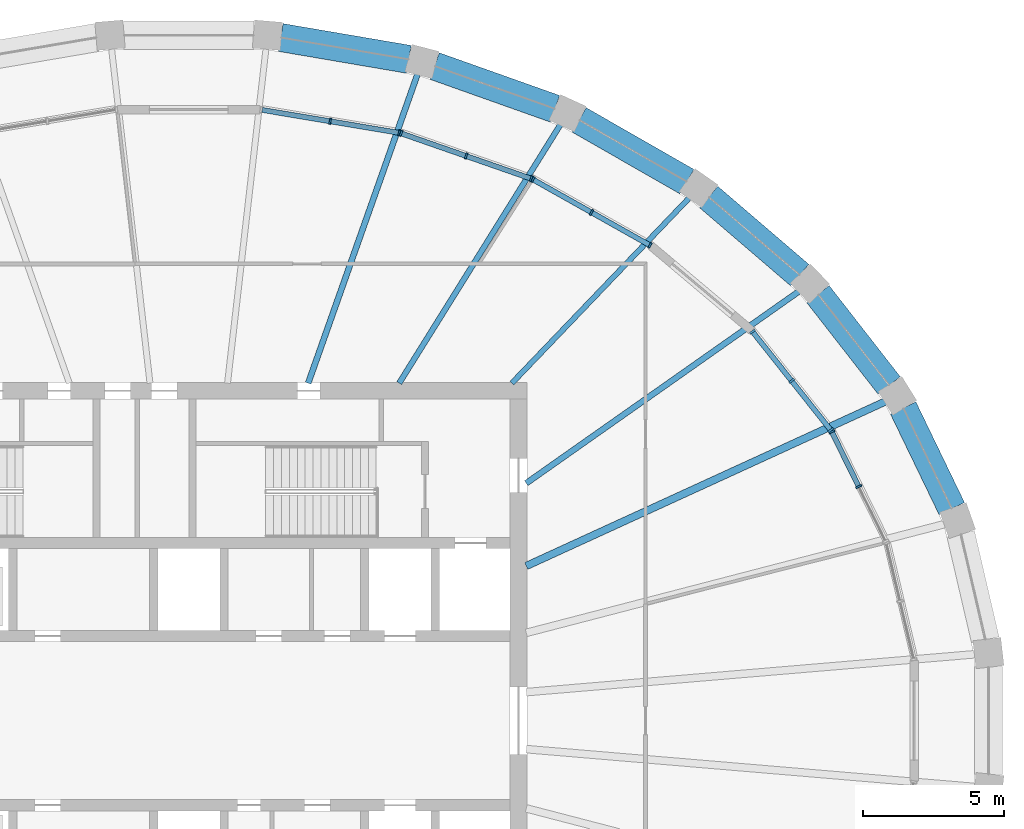
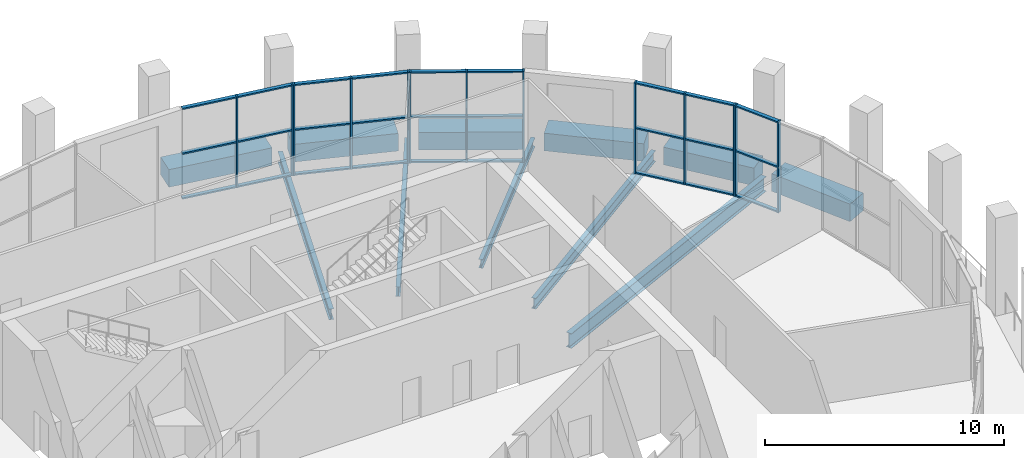
# One storey, part 7 of 16: 40 members, 11 beams, 5 elements without a shape of their own.
"""IFC4 building model written with IfcOpenShell, lengths in metres."""

from ifc_helpers import new_model, si_unit, direction, frame, origin, origin_2d, place, context, subcontext, project, spatial, rectangle, i_section, extrude, material, material_profile, profile_set, type_object, element, aggregate, save


model = new_model("IFC4")

# Units and contexts
model_context = context("Model", 3, precision=1e-05, world=origin(), true_north=direction((0.0, 1.0)))
body_context = subcontext(model_context, "Body", "Model", "MODEL_VIEW")
ifc_project = project(units=[si_unit("LENGTHUNIT", "METRE"), si_unit("AREAUNIT", "SQUARE_METRE"), si_unit("VOLUMEUNIT", "CUBIC_METRE"), si_unit("PLANEANGLEUNIT", "RADIAN"), si_unit("MASSUNIT", "GRAM", prefix="KILO")], contexts=[model_context])

# Site, building, storey
site_placement = place(None, origin())
site = spatial("IfcSite", under=ifc_project, at=site_placement, CompositionType="ELEMENT")
building_placement = place(site_placement, origin())
building = spatial("IfcBuilding", under=site, at=building_placement, Name="Halqa Exchange Tower", CompositionType="ELEMENT")
storey_placement = place(building_placement, frame((0.0, 0.0, 333.300048828125)))
storey = spatial("IfcBuildingStorey", under=building, at=storey_placement, Name="L78", CompositionType="ELEMENT", Elevation=333.300048828125)

# Beams
ifc_material_1 = material(Name="Steel S355", Category="steel")
ifc_material_profile_1 = material_profile(ifc_material_1, i_section(OverallWidth=0.18994140625, OverallDepth=0.449951171875, WebThickness=0.009521484375, FlangeThickness=0.0146484375, FilletRadius=0.02099609375, at=origin_2d()), Name="IPE 450")
ifc_profile_set_1 = profile_set([ifc_material_profile_1], Name="Steel S355")
beam_type_1 = type_object("IfcBeamType", Name="Floor beam IPE 450", PredefinedType="BEAM", material=ifc_profile_set_1)
beam_1_placement = place(storey_placement, frame((11.462890625, 11.97216796875, -0.574951171875), z_axis=(0.6915759213, 0.722303776175, 0.0), x_axis=(-0.722303776175, 0.6915759213, 0.0)))
element("IfcBeam", 1, at=beam_1_placement, inside=storey, type_object=beam_type_1, Name="Radial beam 5", PredefinedType="BEAM", context=body_context, shape_type="SweptSolid", body=[
    extrude(i_section(OverallWidth=0.18994140625, OverallDepth=0.449951171875, WebThickness=0.009521484375, FlangeThickness=0.0146484375, FilletRadius=0.02099609375, at=origin_2d()), origin(), (0.0, 0.0, 1.0), 9.192626953125),
])
ifc_material_profile_2 = material_profile(ifc_material_1, i_section(OverallWidth=0.199951171875, OverallDepth=0.5, WebThickness=0.01025390625, FlangeThickness=0.01611328125, FilletRadius=0.02099609375, at=origin_2d()), Name="IPE 500")
ifc_profile_set_2 = profile_set([ifc_material_profile_2], Name="Steel S355")
beam_type_2 = type_object("IfcBeamType", Name="Floor beam IPE 500", PredefinedType="BEAM", material=ifc_profile_set_2)
beam_2_placement = place(storey_placement, frame((7.4658203125, 11.97216796875, -0.60009765625), z_axis=(0.529137326003, 0.848536204431, 0.0), x_axis=(-0.848536204431, 0.529137326003, 0.0)))
element("IfcBeam", 2, at=beam_2_placement, inside=storey, type_object=beam_type_2, Name="Radial beam 6", PredefinedType="BEAM", context=body_context, shape_type="SweptSolid", body=[
    extrude(i_section(OverallWidth=0.199951171875, OverallDepth=0.5, WebThickness=0.01025390625, FlangeThickness=0.01611328125, FilletRadius=0.02099609375, at=origin_2d()), origin(), (0.0, 0.0, 1.0), 10.904541015625),
])
ifc_material_profile_3 = material_profile(ifc_material_1, i_section(OverallWidth=0.2099609375, OverallDepth=0.550048828125, WebThickness=0.010986328125, FlangeThickness=0.01708984375, FilletRadius=0.02392578125, at=origin_2d()), Name="IPE 550")
ifc_profile_set_3 = profile_set([ifc_material_profile_3], Name="Steel S355")
beam_type_3 = type_object("IfcBeamType", Name="Floor beam IPE 550", PredefinedType="BEAM", material=ifc_profile_set_3)
beam_3_placement = place(storey_placement, frame((11.97265625, 8.422119140625, -0.625), z_axis=(0.817914568296, 0.57533969007, 0.0), x_axis=(-0.57533969007, 0.817914568296, 0.0)))
element("IfcBeam", 3, at=beam_3_placement, inside=storey, type_object=beam_type_3, Name="Radial beam 4", PredefinedType="BEAM", context=body_context, shape_type="SweptSolid", body=[
    extrude(i_section(OverallWidth=0.2099609375, OverallDepth=0.550048828125, WebThickness=0.010986328125, FlangeThickness=0.01708984375, FilletRadius=0.02392578125, at=origin_2d()), origin(), (0.0, 0.0, 1.0), 11.92138671875),
])
beam_4_placement = place(storey_placement, frame((4.23681640625, 11.971923828125, -0.625), z_axis=(0.333622781905, 0.942706656067, 0.0), x_axis=(-0.942706656067, 0.333622781905, 0.0)))
element("IfcBeam", 4, at=beam_4_placement, inside=storey, type_object=beam_type_3, Name="Radial beam 7", PredefinedType="BEAM", context=body_context, shape_type="SweptSolid", body=[
    extrude(i_section(OverallWidth=0.2099609375, OverallDepth=0.550048828125, WebThickness=0.010986328125, FlangeThickness=0.01708984375, FilletRadius=0.02392578125, at=origin_2d()), origin(), (0.0, 0.0, 1.0), 11.723876953125),
])
ifc_material_profile_4 = material_profile(ifc_material_1, i_section(OverallWidth=0.264892578125, OverallDepth=0.7529296875, WebThickness=0.01318359375, FlangeThickness=0.01708984375, FilletRadius=0.01708984375, at=origin_2d()), Name="IPE 750x147")
ifc_profile_set_4 = profile_set([ifc_material_profile_4], Name="Steel S355")
beam_type_4 = type_object("IfcBeamType", Name="Floor beam IPE 750x147", PredefinedType="BEAM", material=ifc_profile_set_4)
beam_5_placement = place(storey_placement, frame((11.972412109375, 5.485107421875, -0.7265625), z_axis=(0.909126834486, 0.416519385884, 0.0), x_axis=(-0.416519385884, 0.909126834486, 0.0)))
element("IfcBeam", 5, at=beam_5_placement, inside=storey, type_object=beam_type_4, Name="Radial beam 3", PredefinedType="BEAM", context=body_context, shape_type="SweptSolid", body=[
    extrude(i_section(OverallWidth=0.264892578125, OverallDepth=0.7529296875, WebThickness=0.01318359375, FlangeThickness=0.01708984375, FilletRadius=0.01708984375, at=origin_2d()), origin(), (0.0, 0.0, 1.0), 14.10205078125),
])
ifc_material_2 = material(Name="Concrete C60/75", Category="concrete")
ifc_material_profile_5 = material_profile(ifc_material_2, rectangle(XDim=1.0, YDim=0.89990234375, at=origin_2d()), Name="1000 x 900")
ifc_profile_set_5 = profile_set([ifc_material_profile_5], Name="Concrete C60/75")
beam_type_5 = type_object("IfcBeamType", Name="RC spandrel beam 1000 x 900 C60/75", PredefinedType="SPANDREL", material=ifc_profile_set_5)
beam_6_placement = place(storey_placement, frame((27.06591796875, 7.519287109375, -0.449951171875), z_axis=(-0.43505216676, 0.900405248873, 0.0), x_axis=(-0.900405248873, -0.43505216676, 0.0)))
element("IfcBeam", 6, at=beam_6_placement, inside=storey, type_object=beam_type_5, Name="Spandrel 2", PredefinedType="SPANDREL", context=body_context, shape_type="SweptSolid", body=[
    extrude(rectangle(XDim=1.0, YDim=0.89990234375, at=origin_2d()), origin(), (0.0, 0.0, 1.0), 3.964111328125),
])
beam_7_placement = place(storey_placement, frame((24.8427734375, 11.89013671875, -0.449951171875), z_axis=(-0.61480594236, 0.788678421943, 0.0), x_axis=(-0.788678421943, -0.61480594236, 0.0)))
element("IfcBeam", 7, at=beam_7_placement, inside=storey, type_object=beam_type_5, Name="Spandrel 3", PredefinedType="SPANDREL", context=body_context, shape_type="SweptSolid", body=[
    extrude(rectangle(XDim=1.0, YDim=0.89990234375, at=origin_2d()), origin(), (0.0, 0.0, 1.0), 4.10009765625),
])
beam_8_placement = place(storey_placement, frame((21.670654296875, 15.805908203125, -0.449951171875), z_axis=(-0.759232294843, 0.65081973116, 0.0), x_axis=(-0.65081973116, -0.759232294843, 0.0)))
element("IfcBeam", 8, at=beam_8_placement, inside=storey, type_object=beam_type_5, Name="Spandrel 4", PredefinedType="SPANDREL", context=body_context, shape_type="SweptSolid", body=[
    extrude(rectangle(XDim=1.0, YDim=0.89990234375, at=origin_2d()), origin(), (0.0, 0.0, 1.0), 4.25390625),
])
beam_9_placement = place(storey_placement, frame((17.669189453125, 19.119140625, -0.449951171875), z_axis=(-0.86778573249, 0.49693855001, 0.0), x_axis=(-0.49693855001, -0.86778573249, 0.0)))
element("IfcBeam", 9, at=beam_9_placement, inside=storey, type_object=beam_type_5, Name="Spandrel 5", PredefinedType="SPANDREL", context=body_context, shape_type="SweptSolid", body=[
    extrude(rectangle(XDim=1.0, YDim=0.89990234375, at=origin_2d()), origin(), (0.0, 0.0, 1.0), 4.40478515625),
])
beam_10_placement = place(storey_placement, frame((12.98828125, 21.70263671875, -0.449951171875), z_axis=(-0.94236088808, 0.334598201755, 0.0), x_axis=(-0.334598201755, -0.94236088808, 0.0)))
element("IfcBeam", 10, at=beam_10_placement, inside=storey, type_object=beam_type_5, Name="Spandrel 6", PredefinedType="SPANDREL", context=body_context, shape_type="SweptSolid", body=[
    extrude(rectangle(XDim=1.0, YDim=0.89990234375, at=origin_2d()), origin(), (0.0, 0.0, 1.0), 4.530517578125),
])
beam_11_placement = place(storey_placement, frame((7.805419921875, 23.456298828125, -0.449951171875), z_axis=(-0.985773042695, 0.168081849987, 0.0), x_axis=(-0.168081849987, -0.985773042695, 0.0)))
element("IfcBeam", 11, at=beam_11_placement, inside=storey, type_object=beam_type_5, Name="Spandrel 7", PredefinedType="SPANDREL", context=body_context, shape_type="SweptSolid", body=[
    extrude(rectangle(XDim=1.0, YDim=0.89990234375, at=origin_2d()), origin(), (0.0, 0.0, 1.0), 4.6103515625),
])

# Curtain wall, members
ifc_material_3 = material(Name="Anodised aluminium and clear glass", Category="aluminium")
curtain_wall_type = type_object("IfcCurtainWallType", Name="Sky lobby glazing", PredefinedType="NOTDEFINED", material=ifc_material_3)
curtain_wall_1_placement = place(storey_placement, origin())
curtain_wall_1 = element("IfcCurtainWall", 12, at=curtain_wall_1_placement, inside=storey, type_object=curtain_wall_type, Name="Sky lobby glazing run G2", PredefinedType="NOTDEFINED")
ifc_material_4 = material(Name="Anodised aluminium", Category="aluminium")
ifc_material_profile_6 = material_profile(ifc_material_4, rectangle(XDim=0.219970703125, YDim=0.070068359375, at=origin_2d()), Name="AL 70x220")
ifc_profile_set_6 = profile_set([ifc_material_profile_6], Name="Anodised aluminium")
member_type_1 = type_object("IfcMemberType", Name="Sky lobby glazing mullion 70 x 220", PredefinedType="MULLION", material=ifc_profile_set_6)
member_1_placement = place(storey_placement, frame((23.76416015625, 8.302978515625, 0.0), z_axis=(0.0, 0.0, 1.0), x_axis=(-0.897214741349, -0.441594506199, 0.0)))
member_1 = element("IfcMember", 13, at=member_1_placement, type_object=member_type_1, Name="G2 mullion 2", PredefinedType="MULLION", context=body_context, shape_type="SweptSolid", body=[
    extrude(rectangle(XDim=0.219970703125, YDim=0.070068359375, at=origin_2d()), origin(), (0.0, 0.0, 1.0), 4.64990234375),
])
member_2_placement = place(storey_placement, frame((22.808349609375, 10.2451171875, 0.0), z_axis=(0.0, 0.0, 1.0), x_axis=(-0.897214741349, -0.441594506199, 0.0)))
member_2 = element("IfcMember", 14, at=member_2_placement, type_object=member_type_1, Name="G2 mullion 3", PredefinedType="MULLION", context=body_context, shape_type="SweptSolid", body=[
    extrude(rectangle(XDim=0.219970703125, YDim=0.070068359375, at=origin_2d()), origin(), (0.0, 0.0, 1.0), 4.64990234375),
])

curtain_wall_2_placement = place(storey_placement, origin())
curtain_wall_2 = element("IfcCurtainWall", 15, at=curtain_wall_2_placement, inside=storey, type_object=curtain_wall_type, Name="Sky lobby glazing run G3", PredefinedType="NOTDEFINED")
member_3_placement = place(storey_placement, frame((22.771240234375, 10.3037109375, 0.0), z_axis=(0.0, 0.0, 1.0), x_axis=(-0.783162355834, -0.621817275737, 0.0)))
member_3 = element("IfcMember", 16, at=member_3_placement, type_object=member_type_1, Name="G3 mullion 1", PredefinedType="MULLION", context=body_context, shape_type="SweptSolid", body=[
    extrude(rectangle(XDim=0.219970703125, YDim=0.070068359375, at=origin_2d()), origin(), (0.0, 0.0, 1.0), 4.64990234375),
])
member_4_placement = place(storey_placement, frame((21.3837890625, 12.05126953125, 0.0), z_axis=(0.0, 0.0, 1.0), x_axis=(-0.783162355834, -0.621817275737, 0.0)))
member_4 = element("IfcMember", 17, at=member_4_placement, type_object=member_type_1, Name="G3 mullion 2", PredefinedType="MULLION", context=body_context, shape_type="SweptSolid", body=[
    extrude(rectangle(XDim=0.219970703125, YDim=0.070068359375, at=origin_2d()), origin(), (0.0, 0.0, 1.0), 4.64990234375),
])
member_5_placement = place(storey_placement, frame((19.996337890625, 13.798583984375, 0.0), z_axis=(0.0, 0.0, 1.0), x_axis=(-0.783162355834, -0.621817275737, 0.0)))
member_5 = element("IfcMember", 18, at=member_5_placement, type_object=member_type_1, Name="G3 mullion 3", PredefinedType="MULLION", context=body_context, shape_type="SweptSolid", body=[
    extrude(rectangle(XDim=0.219970703125, YDim=0.070068359375, at=origin_2d()), origin(), (0.0, 0.0, 1.0), 4.64990234375),
])

curtain_wall_3_placement = place(storey_placement, origin())
curtain_wall_3 = element("IfcCurtainWall", 19, at=curtain_wall_3_placement, inside=storey, type_object=curtain_wall_type, Name="Sky lobby glazing run G5", PredefinedType="NOTDEFINED")
member_6_placement = place(storey_placement, frame((16.359130859375, 16.860107421875, 0.0), z_axis=(0.0, 0.0, 1.0), x_axis=(-0.490158094997, -0.871633547948, 0.0)))
member_6 = element("IfcMember", 20, at=member_6_placement, type_object=member_type_1, Name="G5 mullion 1", PredefinedType="MULLION", context=body_context, shape_type="SweptSolid", body=[
    extrude(rectangle(XDim=0.219970703125, YDim=0.070068359375, at=origin_2d()), origin(), (0.0, 0.0, 1.0), 4.64990234375),
])
member_7_placement = place(storey_placement, frame((14.283203125, 18.02734375, 0.0), z_axis=(0.0, 0.0, 1.0), x_axis=(-0.490158094997, -0.871633547948, 0.0)))
member_7 = element("IfcMember", 21, at=member_7_placement, type_object=member_type_1, Name="G5 mullion 2", PredefinedType="MULLION", context=body_context, shape_type="SweptSolid", body=[
    extrude(rectangle(XDim=0.219970703125, YDim=0.070068359375, at=origin_2d()), origin(), (0.0, 0.0, 1.0), 4.64990234375),
])
member_8_placement = place(storey_placement, frame((12.207275390625, 19.19482421875, 0.0), z_axis=(0.0, 0.0, 1.0), x_axis=(-0.490158094997, -0.871633547948, 0.0)))
member_8 = element("IfcMember", 22, at=member_8_placement, type_object=member_type_1, Name="G5 mullion 3", PredefinedType="MULLION", context=body_context, shape_type="SweptSolid", body=[
    extrude(rectangle(XDim=0.219970703125, YDim=0.070068359375, at=origin_2d()), origin(), (0.0, 0.0, 1.0), 4.64990234375),
])

curtain_wall_4_placement = place(storey_placement, origin())
curtain_wall_4 = element("IfcCurtainWall", 23, at=curtain_wall_4_placement, inside=storey, type_object=curtain_wall_type, Name="Sky lobby glazing run G6", PredefinedType="NOTDEFINED")
member_9_placement = place(storey_placement, frame((12.143798828125, 19.2236328125, 0.0), z_axis=(0.0, 0.0, 1.0), x_axis=(-0.329160021888, -0.9442741551, 0.0)))
member_9 = element("IfcMember", 24, at=member_9_placement, type_object=member_type_1, Name="G6 mullion 1", PredefinedType="MULLION", context=body_context, shape_type="SweptSolid", body=[
    extrude(rectangle(XDim=0.219970703125, YDim=0.070068359375, at=origin_2d()), origin(), (0.0, 0.0, 1.0), 4.64990234375),
])
member_10_placement = place(storey_placement, frame((9.837158203125, 20.027587890625, 0.0), z_axis=(0.0, 0.0, 1.0), x_axis=(-0.329160021888, -0.9442741551, 0.0)))
member_10 = element("IfcMember", 25, at=member_10_placement, type_object=member_type_1, Name="G6 mullion 2", PredefinedType="MULLION", context=body_context, shape_type="SweptSolid", body=[
    extrude(rectangle(XDim=0.219970703125, YDim=0.070068359375, at=origin_2d()), origin(), (0.0, 0.0, 1.0), 4.64990234375),
])
member_11_placement = place(storey_placement, frame((7.53076171875, 20.83154296875, 0.0), z_axis=(0.0, 0.0, 1.0), x_axis=(-0.329160021888, -0.9442741551, 0.0)))
member_11 = element("IfcMember", 26, at=member_11_placement, type_object=member_type_1, Name="G6 mullion 3", PredefinedType="MULLION", context=body_context, shape_type="SweptSolid", body=[
    extrude(rectangle(XDim=0.219970703125, YDim=0.070068359375, at=origin_2d()), origin(), (0.0, 0.0, 1.0), 4.64990234375),
])

curtain_wall_5_placement = place(storey_placement, origin())
curtain_wall_5 = element("IfcCurtainWall", 27, at=curtain_wall_5_placement, inside=storey, type_object=curtain_wall_type, Name="Sky lobby glazing run G7", PredefinedType="NOTDEFINED")
member_12_placement = place(storey_placement, frame((7.463134765625, 20.848876953125, 0.0), z_axis=(0.0, 0.0, 1.0), x_axis=(-0.165117129007, -0.986273964834, 0.0)))
member_12 = element("IfcMember", 28, at=member_12_placement, type_object=member_type_1, Name="G7 mullion 1", PredefinedType="MULLION", context=body_context, shape_type="SweptSolid", body=[
    extrude(rectangle(XDim=0.219970703125, YDim=0.070068359375, at=origin_2d()), origin(), (0.0, 0.0, 1.0), 4.64990234375),
])
member_13_placement = place(storey_placement, frame((5.0146484375, 21.2587890625, 0.0), z_axis=(0.0, 0.0, 1.0), x_axis=(-0.165117129007, -0.986273964834, 0.0)))
member_13 = element("IfcMember", 29, at=member_13_placement, type_object=member_type_1, Name="G7 mullion 2", PredefinedType="MULLION", context=body_context, shape_type="SweptSolid", body=[
    extrude(rectangle(XDim=0.219970703125, YDim=0.070068359375, at=origin_2d()), origin(), (0.0, 0.0, 1.0), 4.64990234375),
])

# Member
ifc_material_profile_7 = material_profile(ifc_material_4, rectangle(XDim=0.179931640625, YDim=0.070068359375, at=origin_2d()), Name="AL 70x180")
ifc_profile_set_7 = profile_set([ifc_material_profile_7], Name="Anodised aluminium")
member_type_2 = type_object("IfcMemberType", Name="Sky lobby glazing transom 70 x 180", PredefinedType="USERDEFINED", material=ifc_profile_set_7)
member_14_placement = place(storey_placement, frame((23.748779296875, 8.33447265625, 0.034912109375), z_axis=(-0.441656599677, 0.89718417728, 0.0), x_axis=(-0.89718417728, -0.441656599677, 0.0)))
member_14 = element("IfcMember", 30, at=member_14_placement, type_object=member_type_2, Name="G2 transom 2.1", ObjectType="TRANSOM", PredefinedType="USERDEFINED", context=body_context, shape_type="SweptSolid", body=[
    extrude(rectangle(XDim=0.179931640625, YDim=0.070068359375, at=origin_2d()), origin(), (0.0, 0.0, 1.0), 2.094482421875),
])

member_15_placement = place(storey_placement, frame((23.748779296875, 8.33447265625, 2.324951171875), z_axis=(-0.441656599677, 0.89718417728, 0.0), x_axis=(-0.89718417728, -0.441656599677, 0.0)))
member_15 = element("IfcMember", 31, at=member_15_placement, type_object=member_type_2, Name="G2 transom 2.2", ObjectType="TRANSOM", PredefinedType="USERDEFINED", context=body_context, shape_type="SweptSolid", body=[
    extrude(rectangle(XDim=0.179931640625, YDim=0.070068359375, at=origin_2d()), origin(), (0.0, 0.0, 1.0), 2.094482421875),
])

member_16_placement = place(storey_placement, frame((23.748779296875, 8.33447265625, 4.614990234375), z_axis=(-0.441656599677, 0.89718417728, 0.0), x_axis=(-0.89718417728, -0.441656599677, 0.0)))
member_16 = element("IfcMember", 32, at=member_16_placement, type_object=member_type_2, Name="G2 transom 2.3", ObjectType="TRANSOM", PredefinedType="USERDEFINED", context=body_context, shape_type="SweptSolid", body=[
    extrude(rectangle(XDim=0.179931640625, YDim=0.070068359375, at=origin_2d()), origin(), (0.0, 0.0, 1.0), 2.094482421875),
])

aggregate(curtain_wall_1, [member_1, member_2, member_14, member_15, member_16])

member_17_placement = place(storey_placement, frame((22.749267578125, 10.331298828125, 0.034912109375), z_axis=(-0.621770069229, 0.78319983466, 0.0), x_axis=(-0.78319983466, -0.621770069229, 0.0)))
member_17 = element("IfcMember", 33, at=member_17_placement, type_object=member_type_2, Name="G3 transom 1.1", ObjectType="TRANSOM", PredefinedType="USERDEFINED", context=body_context, shape_type="SweptSolid", body=[
    extrude(rectangle(XDim=0.179931640625, YDim=0.070068359375, at=origin_2d()), origin(), (0.0, 0.0, 1.0), 2.1611328125),
])

member_18_placement = place(storey_placement, frame((22.749267578125, 10.331298828125, 2.324951171875), z_axis=(-0.621770069229, 0.78319983466, 0.0), x_axis=(-0.78319983466, -0.621770069229, 0.0)))
member_18 = element("IfcMember", 34, at=member_18_placement, type_object=member_type_2, Name="G3 transom 1.2", ObjectType="TRANSOM", PredefinedType="USERDEFINED", context=body_context, shape_type="SweptSolid", body=[
    extrude(rectangle(XDim=0.179931640625, YDim=0.070068359375, at=origin_2d()), origin(), (0.0, 0.0, 1.0), 2.1611328125),
])

member_19_placement = place(storey_placement, frame((22.749267578125, 10.331298828125, 4.614990234375), z_axis=(-0.621770069229, 0.78319983466, 0.0), x_axis=(-0.78319983466, -0.621770069229, 0.0)))
member_19 = element("IfcMember", 35, at=member_19_placement, type_object=member_type_2, Name="G3 transom 1.3", ObjectType="TRANSOM", PredefinedType="USERDEFINED", context=body_context, shape_type="SweptSolid", body=[
    extrude(rectangle(XDim=0.179931640625, YDim=0.070068359375, at=origin_2d()), origin(), (0.0, 0.0, 1.0), 2.1611328125),
])

member_20_placement = place(storey_placement, frame((21.36181640625, 12.07861328125, 0.034912109375), z_axis=(-0.621770069229, 0.78319983466, 0.0), x_axis=(-0.78319983466, -0.621770069229, 0.0)))
member_20 = element("IfcMember", 36, at=member_20_placement, type_object=member_type_2, Name="G3 transom 2.1", ObjectType="TRANSOM", PredefinedType="USERDEFINED", context=body_context, shape_type="SweptSolid", body=[
    extrude(rectangle(XDim=0.179931640625, YDim=0.070068359375, at=origin_2d()), origin(), (0.0, 0.0, 1.0), 2.1611328125),
])

member_21_placement = place(storey_placement, frame((21.36181640625, 12.07861328125, 2.324951171875), z_axis=(-0.621770069229, 0.78319983466, 0.0), x_axis=(-0.78319983466, -0.621770069229, 0.0)))
member_21 = element("IfcMember", 37, at=member_21_placement, type_object=member_type_2, Name="G3 transom 2.2", ObjectType="TRANSOM", PredefinedType="USERDEFINED", context=body_context, shape_type="SweptSolid", body=[
    extrude(rectangle(XDim=0.179931640625, YDim=0.070068359375, at=origin_2d()), origin(), (0.0, 0.0, 1.0), 2.1611328125),
])

member_22_placement = place(storey_placement, frame((21.36181640625, 12.07861328125, 4.614990234375), z_axis=(-0.621770069229, 0.78319983466, 0.0), x_axis=(-0.78319983466, -0.621770069229, 0.0)))
member_22 = element("IfcMember", 38, at=member_22_placement, type_object=member_type_2, Name="G3 transom 2.3", ObjectType="TRANSOM", PredefinedType="USERDEFINED", context=body_context, shape_type="SweptSolid", body=[
    extrude(rectangle(XDim=0.179931640625, YDim=0.070068359375, at=origin_2d()), origin(), (0.0, 0.0, 1.0), 2.1611328125),
])

aggregate(curtain_wall_2, [member_3, member_4, member_5, member_17, member_18, member_19, member_20, member_21, member_22])

member_23_placement = place(storey_placement, frame((16.32861328125, 16.877197265625, 0.034912109375), z_axis=(-0.871634762518, 0.490155935157, 0.0), x_axis=(-0.490155935157, -0.871634762518, 0.0)))
member_23 = element("IfcMember", 39, at=member_23_placement, type_object=member_type_2, Name="G5 transom 1.1", ObjectType="TRANSOM", PredefinedType="USERDEFINED", context=body_context, shape_type="SweptSolid", body=[
    extrude(rectangle(XDim=0.179931640625, YDim=0.070068359375, at=origin_2d()), origin(), (0.0, 0.0, 1.0), 2.3115234375),
])

member_24_placement = place(storey_placement, frame((16.32861328125, 16.877197265625, 2.324951171875), z_axis=(-0.871634762518, 0.490155935157, 0.0), x_axis=(-0.490155935157, -0.871634762518, 0.0)))
member_24 = element("IfcMember", 40, at=member_24_placement, type_object=member_type_2, Name="G5 transom 1.2", ObjectType="TRANSOM", PredefinedType="USERDEFINED", context=body_context, shape_type="SweptSolid", body=[
    extrude(rectangle(XDim=0.179931640625, YDim=0.070068359375, at=origin_2d()), origin(), (0.0, 0.0, 1.0), 2.3115234375),
])

member_25_placement = place(storey_placement, frame((16.32861328125, 16.877197265625, 4.614990234375), z_axis=(-0.871634762518, 0.490155935157, 0.0), x_axis=(-0.490155935157, -0.871634762518, 0.0)))
member_25 = element("IfcMember", 41, at=member_25_placement, type_object=member_type_2, Name="G5 transom 1.3", ObjectType="TRANSOM", PredefinedType="USERDEFINED", context=body_context, shape_type="SweptSolid", body=[
    extrude(rectangle(XDim=0.179931640625, YDim=0.070068359375, at=origin_2d()), origin(), (0.0, 0.0, 1.0), 2.3115234375),
])

member_26_placement = place(storey_placement, frame((14.252685546875, 18.044677734375, 0.034912109375), z_axis=(-0.871634762518, 0.490155935157, 0.0), x_axis=(-0.490155935157, -0.871634762518, 0.0)))
member_26 = element("IfcMember", 42, at=member_26_placement, type_object=member_type_2, Name="G5 transom 2.1", ObjectType="TRANSOM", PredefinedType="USERDEFINED", context=body_context, shape_type="SweptSolid", body=[
    extrude(rectangle(XDim=0.179931640625, YDim=0.070068359375, at=origin_2d()), origin(), (0.0, 0.0, 1.0), 2.3115234375),
])

member_27_placement = place(storey_placement, frame((14.252685546875, 18.044677734375, 2.324951171875), z_axis=(-0.871634762518, 0.490155935157, 0.0), x_axis=(-0.490155935157, -0.871634762518, 0.0)))
member_27 = element("IfcMember", 43, at=member_27_placement, type_object=member_type_2, Name="G5 transom 2.2", ObjectType="TRANSOM", PredefinedType="USERDEFINED", context=body_context, shape_type="SweptSolid", body=[
    extrude(rectangle(XDim=0.179931640625, YDim=0.070068359375, at=origin_2d()), origin(), (0.0, 0.0, 1.0), 2.3115234375),
])

member_28_placement = place(storey_placement, frame((14.252685546875, 18.044677734375, 4.614990234375), z_axis=(-0.871634762518, 0.490155935157, 0.0), x_axis=(-0.490155935157, -0.871634762518, 0.0)))
member_28 = element("IfcMember", 44, at=member_28_placement, type_object=member_type_2, Name="G5 transom 2.3", ObjectType="TRANSOM", PredefinedType="USERDEFINED", context=body_context, shape_type="SweptSolid", body=[
    extrude(rectangle(XDim=0.179931640625, YDim=0.070068359375, at=origin_2d()), origin(), (0.0, 0.0, 1.0), 2.3115234375),
])

aggregate(curtain_wall_3, [member_6, member_7, member_8, member_23, member_24, member_25, member_26, member_27, member_28])

member_29_placement = place(storey_placement, frame((12.110595703125, 19.235107421875, 0.034912109375), z_axis=(-0.94426193798, 0.329195067524, 0.0), x_axis=(-0.329195067524, -0.94426193798, 0.0)))
member_29 = element("IfcMember", 45, at=member_29_placement, type_object=member_type_2, Name="G6 transom 1.1", ObjectType="TRANSOM", PredefinedType="USERDEFINED", context=body_context, shape_type="SweptSolid", body=[
    extrude(rectangle(XDim=0.179931640625, YDim=0.070068359375, at=origin_2d()), origin(), (0.0, 0.0, 1.0), 2.37255859375),
])

member_30_placement = place(storey_placement, frame((12.110595703125, 19.235107421875, 2.324951171875), z_axis=(-0.94426193798, 0.329195067524, 0.0), x_axis=(-0.329195067524, -0.94426193798, 0.0)))
member_30 = element("IfcMember", 46, at=member_30_placement, type_object=member_type_2, Name="G6 transom 1.2", ObjectType="TRANSOM", PredefinedType="USERDEFINED", context=body_context, shape_type="SweptSolid", body=[
    extrude(rectangle(XDim=0.179931640625, YDim=0.070068359375, at=origin_2d()), origin(), (0.0, 0.0, 1.0), 2.37255859375),
])

member_31_placement = place(storey_placement, frame((12.110595703125, 19.235107421875, 4.614990234375), z_axis=(-0.94426193798, 0.329195067524, 0.0), x_axis=(-0.329195067524, -0.94426193798, 0.0)))
member_31 = element("IfcMember", 47, at=member_31_placement, type_object=member_type_2, Name="G6 transom 1.3", ObjectType="TRANSOM", PredefinedType="USERDEFINED", context=body_context, shape_type="SweptSolid", body=[
    extrude(rectangle(XDim=0.179931640625, YDim=0.070068359375, at=origin_2d()), origin(), (0.0, 0.0, 1.0), 2.37255859375),
])

member_32_placement = place(storey_placement, frame((9.80419921875, 20.0390625, 0.034912109375), z_axis=(-0.944273088174, 0.329163082605, 0.0), x_axis=(-0.329163082605, -0.944273088174, 0.0)))
member_32 = element("IfcMember", 48, at=member_32_placement, type_object=member_type_2, Name="G6 transom 2.1", ObjectType="TRANSOM", PredefinedType="USERDEFINED", context=body_context, shape_type="SweptSolid", body=[
    extrude(rectangle(XDim=0.179931640625, YDim=0.070068359375, at=origin_2d()), origin(), (0.0, 0.0, 1.0), 2.372802734375),
])

member_33_placement = place(storey_placement, frame((9.80419921875, 20.0390625, 2.324951171875), z_axis=(-0.944273088174, 0.329163082605, 0.0), x_axis=(-0.329163082605, -0.944273088174, 0.0)))
member_33 = element("IfcMember", 49, at=member_33_placement, type_object=member_type_2, Name="G6 transom 2.2", ObjectType="TRANSOM", PredefinedType="USERDEFINED", context=body_context, shape_type="SweptSolid", body=[
    extrude(rectangle(XDim=0.179931640625, YDim=0.070068359375, at=origin_2d()), origin(), (0.0, 0.0, 1.0), 2.372802734375),
])

member_34_placement = place(storey_placement, frame((9.80419921875, 20.0390625, 4.614990234375), z_axis=(-0.944273088174, 0.329163082605, 0.0), x_axis=(-0.329163082605, -0.944273088174, 0.0)))
member_34 = element("IfcMember", 50, at=member_34_placement, type_object=member_type_2, Name="G6 transom 2.3", ObjectType="TRANSOM", PredefinedType="USERDEFINED", context=body_context, shape_type="SweptSolid", body=[
    extrude(rectangle(XDim=0.179931640625, YDim=0.070068359375, at=origin_2d()), origin(), (0.0, 0.0, 1.0), 2.372802734375),
])

aggregate(curtain_wall_4, [member_9, member_10, member_11, member_29, member_30, member_31, member_32, member_33, member_34])

member_35_placement = place(storey_placement, frame((7.428466796875, 20.854736328125, 0.034912109375), z_axis=(-0.986284301217, 0.165055376081, 0.0), x_axis=(-0.165055376081, -0.986284301217, 0.0)))
member_35 = element("IfcMember", 51, at=member_35_placement, type_object=member_type_2, Name="G7 transom 1.1", ObjectType="TRANSOM", PredefinedType="USERDEFINED", context=body_context, shape_type="SweptSolid", body=[
    extrude(rectangle(XDim=0.179931640625, YDim=0.070068359375, at=origin_2d()), origin(), (0.0, 0.0, 1.0), 2.41259765625),
])

member_36_placement = place(storey_placement, frame((7.428466796875, 20.854736328125, 2.324951171875), z_axis=(-0.986284301217, 0.165055376081, 0.0), x_axis=(-0.165055376081, -0.986284301217, 0.0)))
member_36 = element("IfcMember", 52, at=member_36_placement, type_object=member_type_2, Name="G7 transom 1.2", ObjectType="TRANSOM", PredefinedType="USERDEFINED", context=body_context, shape_type="SweptSolid", body=[
    extrude(rectangle(XDim=0.179931640625, YDim=0.070068359375, at=origin_2d()), origin(), (0.0, 0.0, 1.0), 2.41259765625),
])

member_37_placement = place(storey_placement, frame((7.428466796875, 20.854736328125, 4.614990234375), z_axis=(-0.986284301217, 0.165055376081, 0.0), x_axis=(-0.165055376081, -0.986284301217, 0.0)))
member_37 = element("IfcMember", 53, at=member_37_placement, type_object=member_type_2, Name="G7 transom 1.3", ObjectType="TRANSOM", PredefinedType="USERDEFINED", context=body_context, shape_type="SweptSolid", body=[
    extrude(rectangle(XDim=0.179931640625, YDim=0.070068359375, at=origin_2d()), origin(), (0.0, 0.0, 1.0), 2.41259765625),
])

member_38_placement = place(storey_placement, frame((4.97998046875, 21.2646484375, 0.034912109375), z_axis=(-0.986284301217, 0.165055376081, 0.0), x_axis=(-0.165055376081, -0.986284301217, 0.0)))
member_38 = element("IfcMember", 54, at=member_38_placement, type_object=member_type_2, Name="G7 transom 2.1", ObjectType="TRANSOM", PredefinedType="USERDEFINED", context=body_context, shape_type="SweptSolid", body=[
    extrude(rectangle(XDim=0.179931640625, YDim=0.070068359375, at=origin_2d()), origin(), (0.0, 0.0, 1.0), 2.41259765625),
])

member_39_placement = place(storey_placement, frame((4.97998046875, 21.2646484375, 2.324951171875), z_axis=(-0.986284301217, 0.165055376081, 0.0), x_axis=(-0.165055376081, -0.986284301217, 0.0)))
member_39 = element("IfcMember", 55, at=member_39_placement, type_object=member_type_2, Name="G7 transom 2.2", ObjectType="TRANSOM", PredefinedType="USERDEFINED", context=body_context, shape_type="SweptSolid", body=[
    extrude(rectangle(XDim=0.179931640625, YDim=0.070068359375, at=origin_2d()), origin(), (0.0, 0.0, 1.0), 2.41259765625),
])

member_40_placement = place(storey_placement, frame((4.97998046875, 21.2646484375, 4.614990234375), z_axis=(-0.986284301217, 0.165055376081, 0.0), x_axis=(-0.165055376081, -0.986284301217, 0.0)))
member_40 = element("IfcMember", 56, at=member_40_placement, type_object=member_type_2, Name="G7 transom 2.3", ObjectType="TRANSOM", PredefinedType="USERDEFINED", context=body_context, shape_type="SweptSolid", body=[
    extrude(rectangle(XDim=0.179931640625, YDim=0.070068359375, at=origin_2d()), origin(), (0.0, 0.0, 1.0), 2.41259765625),
])

aggregate(curtain_wall_5, [member_12, member_13, member_35, member_36, member_37, member_38, member_39, member_40])

save(model, "model.ifc")
